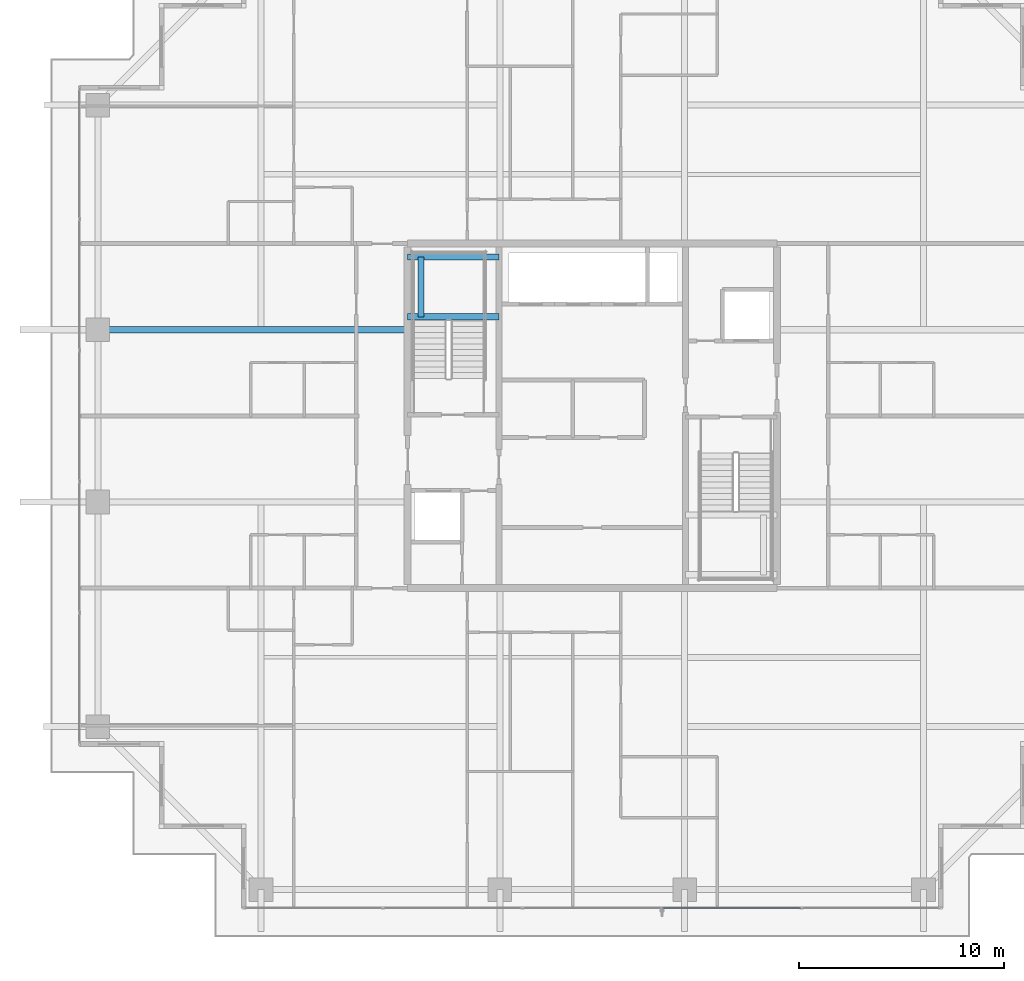
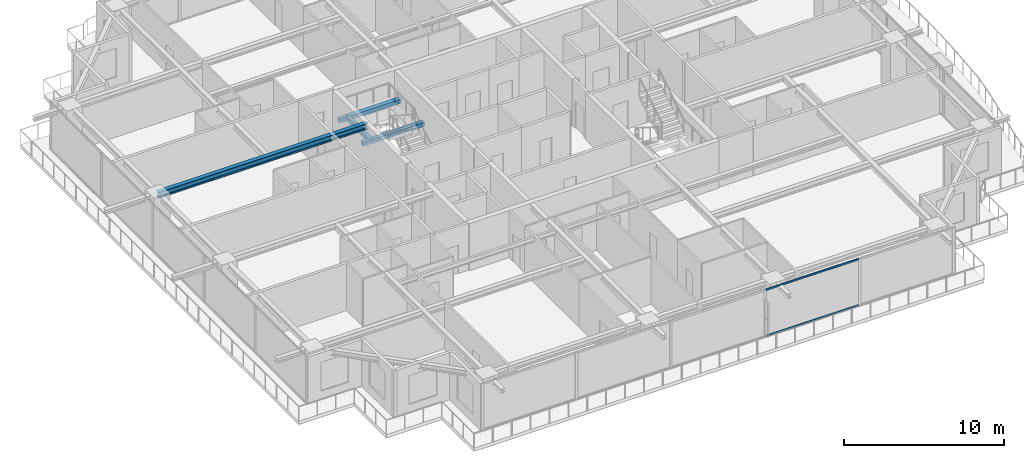
# One storey, part 10 of 38: 4 beams, 2 members, 1 element without a shape of its own.
"""IFC4 building model written with IfcOpenShell, lengths in metres."""

from ifc_helpers import new_model, si_unit, direction, frame, origin, origin_2d, place, context, subcontext, project, spatial, rectangle, hollow_rectangle, i_section, extrude, source, transform, mapped, material, layer, layer_set, material_profile, profile_set, type_object, element, aggregate, save


model = new_model("IFC4")

# Units and contexts
model_context = context("Model", 3, precision=1e-05, world=origin(), true_north=direction((0.0, 1.0)))
body_context = subcontext(model_context, "Body", "Model", "MODEL_VIEW")
ifc_project = project(units=[si_unit("LENGTHUNIT", "METRE"), si_unit("AREAUNIT", "SQUARE_METRE"), si_unit("VOLUMEUNIT", "CUBIC_METRE"), si_unit("PLANEANGLEUNIT", "RADIAN"), si_unit("MASSUNIT", "GRAM", prefix="KILO")], contexts=[model_context])

# Site, building, storey
site_placement = place(None, origin())
site = spatial("IfcSite", under=ifc_project, at=site_placement, CompositionType="ELEMENT")
building_placement = place(site_placement, origin())
building = spatial("IfcBuilding", under=site, at=building_placement, Name="Serunith Strait Residences", CompositionType="ELEMENT")
storey_placement = place(building_placement, frame((0.0, 0.0, 264.35009765625)))
storey = spatial("IfcBuildingStorey", under=building, at=storey_placement, Name="L66", CompositionType="ELEMENT", Elevation=264.35009765625)

# Beams
ifc_material_1 = material(Name="Steel S355J2", Category="steel")
ifc_material_profile_1 = material_profile(ifc_material_1, i_section(OverallWidth=0.300048828125, OverallDepth=0.449951171875, WebThickness=0.013916015625, FlangeThickness=0.02587890625, FilletRadius=0.027099609375, at=origin_2d()), Name="HEB 450")
ifc_profile_set_1 = profile_set([ifc_material_profile_1], Name="Steel S355J2")
beam_type_1 = type_object("IfcBeamType", Name="BM-HEB450", PredefinedType="BEAM", material=ifc_profile_set_1)
shared_shape_1 = source(origin(), body_context, "Body", "SweptSolid", [
    extrude(i_section(OverallWidth=0.300048828125, OverallDepth=0.449951171875, WebThickness=0.013916015625, FlangeThickness=0.02587890625, FilletRadius=0.027099609375, at=origin_2d()), origin(), (0.0, 0.0, 1.0), 15.099853515625),
])
beam_1_placement = place(storey_placement, frame((23.39990234375, 29.39990234375, 3.36181640625), z_axis=(-1.0, 0.0, 0.0), x_axis=(0.0, -1.0, 0.0)))
element("IfcBeam", 1, at=beam_1_placement, inside=storey, type_object=beam_type_1, Name="L66 Primary Floor Girder TC-W3", PredefinedType="BEAM", context=body_context, shape_type="MappedRepresentation", body=[
    mapped(shared_shape_1, transform((0.0, 0.0, 0.0), scale=1.0)),
])
ifc_material_2 = material(Name="Concrete C60/75", Category="concrete")
ifc_material_profile_2 = material_profile(ifc_material_2, rectangle(XDim=0.300048828125, YDim=0.300048828125, at=origin_2d()), Name="RC 300x300")
ifc_profile_set_2 = profile_set([ifc_material_profile_2], Name="Concrete C60/75")
beam_type_2 = type_object("IfcBeamType", Name="BM-LAND-300x300", PredefinedType="BEAM", material=ifc_profile_set_2)
shared_shape_2 = source(origin(), body_context, "Body", "SweptSolid", [
    extrude(rectangle(XDim=0.300048828125, YDim=0.300048828125, at=origin_2d()), origin(), (0.0, 0.0, 1.0), 4.4501953125),
])
for number, where, z_axis, x_axis, name in (
    (2, (23.39990234375, 30.030029296875, 1.574951171875), (1.0, 0.0, 0.0), (0.0, 1.0, 0.0), "L66 ST-1 Landing Support Beam 1"),
    (3, (23.39990234375, 32.949951171875, 1.574951171875), (1.0, 0.0, 0.0), (0.0, 1.0, 0.0), "L66 ST-1 Landing Support Beam 2"),
):
    element("IfcBeam", number, at=place(storey_placement, frame(where, z_axis=z_axis, x_axis=x_axis)), inside=storey, type_object=beam_type_2, Name=name, PredefinedType="BEAM", context=body_context, shape_type="MappedRepresentation", body=[
        mapped(shared_shape_2, transform((0.0, 0.0, 0.0), scale=1.0)),
    ])
shared_shape_3 = source(origin(), body_context, "Body", "SweptSolid", [
    extrude(rectangle(XDim=0.300048828125, YDim=0.300048828125, at=origin_2d()), origin(), (0.0, 0.0, 1.0), 2.919921875),
])
beam_2_placement = place(storey_placement, frame((24.050048828125, 30.030029296875, 1.574951171875), z_axis=(0.0, 1.0, 0.0), x_axis=(-1.0, 0.0, 0.0)))
element("IfcBeam", 4, at=beam_2_placement, inside=storey, type_object=beam_type_2, Name="L66 ST-1 Landing Transverse Tie Beam", PredefinedType="BEAM", context=body_context, shape_type="MappedRepresentation", body=[
    mapped(shared_shape_3, transform((0.0, 0.0, 0.0), scale=1.0)),
])

# Curtain wall, members
ifc_material_3 = material(Name="Pale-Champagne Anodised Aluminium", Category="aluminium")
ifc_layer = layer(ifc_material_3, 0.199951171875, Name="Pale-Champagne Anodised Aluminium")
ifc_layer_set = layer_set([ifc_layer], Name="Pale-Champagne Anodised Aluminium")
curtain_wall_type = type_object("IfcCurtainWallType", Name="CW-SYS4", PredefinedType="NOTDEFINED", material=ifc_layer_set)
curtain_wall_placement = place(storey_placement, origin())
curtain_wall = element("IfcCurtainWall", 5, at=curtain_wall_placement, inside=storey, type_object=curtain_wall_type, Name="L66 S Unitised Fritted Curtain Wall", PredefinedType="NOTDEFINED")
ifc_material_profile_3 = material_profile(ifc_material_3, hollow_rectangle(XDim=0.06005859375, YDim=0.139892578125, WallThickness=0.00341796875, InnerFilletRadius=0.00537109375, OuterFilletRadius=0.0087890625, at=origin_2d()), Name="ALU 140x60x3.5")
ifc_profile_set_3 = profile_set([ifc_material_profile_3], Name="Pale-Champagne Anodised Aluminium")
member_type = type_object("IfcMemberType", Name="CW-SYS4-TRAN", PredefinedType="USERDEFINED", material=ifc_profile_set_3)
shared_shape_4 = source(origin(), body_context, "Body", "SweptSolid", [
    extrude(hollow_rectangle(XDim=0.06005859375, YDim=0.139892578125, WallThickness=0.00341796875, InnerFilletRadius=0.00537109375, OuterFilletRadius=0.0087890625, at=origin_2d()), origin(), (0.0, 0.0, 1.0), 6.73486328125),
])
member_1_placement = place(storey_placement, frame((35.83251953125, 1.199951171875, 0.02978515625), z_axis=(1.0, 0.0, 0.0), x_axis=(0.0, 1.0, 0.0)))
member_1 = element("IfcMember", 6, at=member_1_placement, type_object=member_type, Name="CW-4 transom 4.1", ObjectType="TRANSOM", PredefinedType="USERDEFINED", context=body_context, shape_type="MappedRepresentation", body=[
    mapped(shared_shape_4, transform((0.0, 0.0, 0.0), scale=1.0)),
])
member_2_placement = place(storey_placement, frame((35.83251953125, 1.199951171875, 3.544921875), z_axis=(1.0, 0.0, 0.0), x_axis=(0.0, 1.0, 0.0)))
member_2 = element("IfcMember", 7, at=member_2_placement, type_object=member_type, Name="CW-4 transom 4.2", ObjectType="TRANSOM", PredefinedType="USERDEFINED", context=body_context, shape_type="MappedRepresentation", body=[
    mapped(shared_shape_4, transform((0.0, 0.0, 0.0), scale=1.0)),
])
aggregate(curtain_wall, [member_1, member_2])

save(model, "model.ifc")
